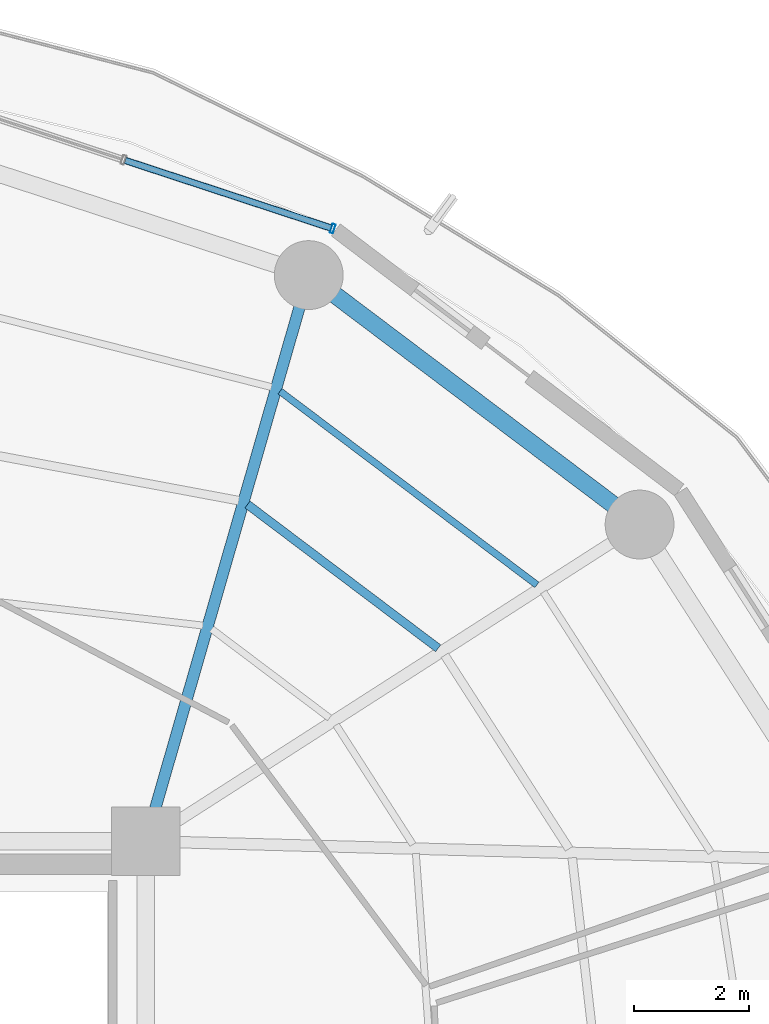
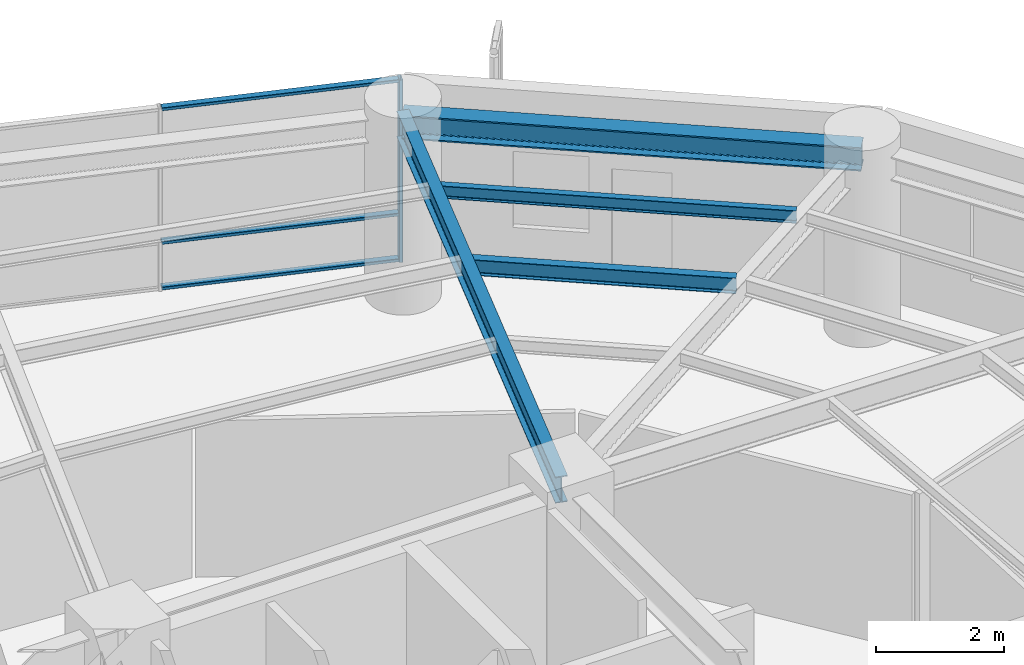
# One storey, part 19 of 28: 4 beams, 4 members, 1 element without a shape of its own.
"""IFC4 building model written with IfcOpenShell, lengths in metres."""

import ifcopenshell
import ifcopenshell.guid

model = None  # the IFC model being written
_history = None  # IfcOwnerHistory: only IFC2X3 demands one
_inside = {}  # id of a spatial element -> (the spatial element, [elements in it])
_under = {}  # id of a project, library or spatial element -> (it, [spatial elements below it])
_declared = {}  # id of a project -> (the project, [libraries it declares])
_typed = {}  # id of a type object -> (the type object, [elements of that type])
_made_of = {}  # id of a material, layer set ... -> (it, [elements and type objects made of it])


def new_model(schema):
    """Start an empty IFC model of exactly this schema.

    Asked for "IFC4X3", IfcOpenShell would pick the latest addendum, in which some entities
    have other attributes; the version numbers below select the first issue.
    IFC2X3 requires an IfcOwnerHistory on every rooted entity: one is made here for all.
    """
    global model, _history
    if schema == "IFC4X3":
        model = ifcopenshell.file(schema_version=(4, 3, 0, 0))
    else:
        model = ifcopenshell.file(schema=schema)
    _inside.clear()
    _under.clear()
    _declared.clear()
    _typed.clear()
    _made_of.clear()
    _history = None
    if model.schema == "IFC2X3":
        org = make("IfcOrganization", Name="unknown")
        user = make(
            "IfcPersonAndOrganization",
            ThePerson=make("IfcPerson", FamilyName="unknown"),
            TheOrganization=org,
        )
        app = make(
            "IfcApplication",
            ApplicationDeveloper=org,
            Version="unknown",
            ApplicationFullName="unknown",
            ApplicationIdentifier="unknown",
        )
        _history = make(
            "IfcOwnerHistory",
            OwningUser=user,
            OwningApplication=app,
            ChangeAction="ADDED",
            CreationDate=0,
        )
    return model


def make(cls, **values):
    """One entity of the class cls with the attributes given. An attribute that is None is left unset."""
    return model.create_entity(
        cls, **{name: value for name, value in values.items() if value is not None}
    )


def rooted(cls, **values):
    """An entity with a GlobalId (a new one), such as an element, a storey or a relation."""
    return make(cls, GlobalId=ifcopenshell.guid.new(), OwnerHistory=_history, **values)


def si_unit(unit_type, name, prefix=None):
    """IfcSIUnit, for example si_unit("LENGTHUNIT", "METRE", prefix="MILLI")."""
    return make("IfcSIUnit", UnitType=unit_type, Prefix=prefix, Name=name)


def assignment(units):
    """IfcUnitAssignment: the units of a project."""
    return None if units is None else make("IfcUnitAssignment", Units=units)


def point(xyz):
    """IfcCartesianPoint."""
    return None if xyz is None else make("IfcCartesianPoint", Coordinates=xyz)


def direction(xyz):
    """IfcDirection."""
    return None if xyz is None else make("IfcDirection", DirectionRatios=xyz)


def frame(location, z_axis=None, x_axis=None):
    """IfcAxis2Placement3D, a coordinate frame: its origin and axes. An axis left out is left unset."""
    return make(
        "IfcAxis2Placement3D",
        Location=point(location),
        Axis=direction(z_axis),
        RefDirection=direction(x_axis),
    )


def frame_2d(location, x_axis=None):
    """IfcAxis2Placement2D, a coordinate frame in the plane: its origin and x axis."""
    return make(
        "IfcAxis2Placement2D", Location=point(location), RefDirection=direction(x_axis)
    )


def origin():
    """The frame at (0, 0, 0) with its axes left unset."""
    return frame((0.0, 0.0, 0.0))


def origin_2d():
    """The frame at (0, 0) in the plane with its x axis left unset."""
    return frame_2d((0.0, 0.0))


def place(relative_to, where):
    """IfcLocalPlacement: puts the frame where relative to a parent placement (None: the world)."""
    return make(
        "IfcLocalPlacement", PlacementRelTo=relative_to, RelativePlacement=where
    )


def context(
    kind, dimensions, precision=None, world=None, true_north=None, identifier=None
):
    """IfcGeometricRepresentationContext, for example the 3D "Model" context."""
    return make(
        "IfcGeometricRepresentationContext",
        ContextIdentifier=identifier,
        ContextType=kind,
        CoordinateSpaceDimension=dimensions,
        Precision=precision,
        WorldCoordinateSystem=world,
        TrueNorth=true_north,
    )


def subcontext(parent, identifier, kind, view, scale=None):
    """IfcGeometricRepresentationSubContext, for example "Body" below "Model"."""
    return make(
        "IfcGeometricRepresentationSubContext",
        ContextIdentifier=identifier,
        ContextType=kind,
        ParentContext=parent,
        TargetScale=scale,
        TargetView=view,
    )


def project(units=None, contexts=None):
    """IfcProject with its units and contexts."""
    return rooted(
        "IfcProject",
        Name="project",
        RepresentationContexts=contexts,
        UnitsInContext=assignment(units),
    )


def spatial(cls, under=None, at=None, **own):
    """A site, building, storey or space (cls), placed at a placement, below another one or the project."""
    s = rooted(cls, ObjectPlacement=at, **own)
    if under is not None:
        _under.setdefault(under.id(), (under, []))[1].append(s)
    return s


def profile(cls, at=None, kind="AREA", **sizes):
    """A parametric profile (cls). Its sizes go by their IFC names, for example OverallWidth=200.0."""
    return make(cls, ProfileType=kind, Position=at, **sizes)


def hollow_rectangle(**sizes):
    """IfcRectangleHollowProfileDef."""
    return profile("IfcRectangleHollowProfileDef", **sizes)


def i_section(**sizes):
    """IfcIShapeProfileDef."""
    return profile("IfcIShapeProfileDef", **sizes)


def extrude(swept, where, along, depth):
    """IfcExtrudedAreaSolid: the profile swept, set in the frame where, extruded along a direction by depth."""
    return make(
        "IfcExtrudedAreaSolid",
        SweptArea=swept,
        Position=where,
        ExtrudedDirection=direction(along),
        Depth=depth,
    )


def shape(context_of_items, identifier, shape_type, items):
    """IfcShapeRepresentation: the items that make up one representation, for example the "Body"."""
    return make(
        "IfcShapeRepresentation",
        ContextOfItems=context_of_items,
        RepresentationIdentifier=identifier,
        RepresentationType=shape_type,
        Items=items,
    )


def material(Name=None, Category=None):
    """IfcMaterial."""
    return make("IfcMaterial", Name=Name, Category=Category)


def layer(
    of_material, thickness, ventilated=None, Name=None, Category=None, Priority=None
):
    """IfcMaterialLayer: one layer of a wall or slab, of a material (None: an air gap)."""
    return make(
        "IfcMaterialLayer",
        Material=of_material,
        LayerThickness=thickness,
        IsVentilated=ventilated,
        Name=Name,
        Category=Category,
        Priority=Priority,
    )


def layer_set(layers, Name=None):
    """IfcMaterialLayerSet."""
    return make("IfcMaterialLayerSet", MaterialLayers=layers, LayerSetName=Name)


def material_profile(
    of_material, cross_section, Name=None, Category=None, Priority=None
):
    """IfcMaterialProfile: a cross section and its material."""
    return make(
        "IfcMaterialProfile",
        Name=Name,
        Material=of_material,
        Profile=cross_section,
        Priority=Priority,
        Category=Category,
    )


def profile_set(profiles, Name=None, composite=None):
    """IfcMaterialProfileSet."""
    return make(
        "IfcMaterialProfileSet",
        Name=Name,
        MaterialProfiles=profiles,
        CompositeProfile=composite,
    )


def made_of(thing, what):
    """Note that an element or type object is made of a material, layer set ...; save() writes the relation."""
    if what is not None:
        _made_of.setdefault(what.id(), (what, []))[1].append(thing)
    return thing


def type_object(cls, material=None, **own):
    """A type object (cls), such as IfcWallType, which elements share."""
    return made_of(rooted(cls, **own), material)


def element(
    cls,
    number,
    at=None,
    inside=None,
    cuts=None,
    type_object=None,
    material=None,
    context=None,
    identifier="Body",
    shape_type=None,
    held_by="IfcProductDefinitionShape",
    body=None,
    shapes=None,
    **own,
):
    """One element of the class cls, such as IfcWall. Its Tag is "e" and its number.

    at: its placement. inside: the storey or other place that contains it. cuts: it is an
    opening in that element (IfcRelVoidsElement). A single representation is given by context,
    identifier, shape_type and body (its items); several are given by shapes. held_by: the class
    of the entity that holds the representations. save() writes the other relations.
    """
    e = rooted(cls, Tag="e%d" % number, ObjectPlacement=at, **own)
    if body is not None:
        shapes = [shape(context, identifier, shape_type, body)]
    if shapes is not None:
        e.Representation = make(held_by, Representations=shapes)
    if inside is not None:
        _inside.setdefault(inside.id(), (inside, []))[1].append(e)
    if cuts is not None:
        rooted(
            "IfcRelVoidsElement", RelatingBuildingElement=cuts, RelatedOpeningElement=e
        )
    if type_object is not None:
        _typed.setdefault(type_object.id(), (type_object, []))[1].append(e)
    return made_of(e, material)


def aggregate(whole, parts):
    """IfcRelAggregates: a whole, such as a stair, and the parts it consists of."""
    return rooted("IfcRelAggregates", RelatingObject=whole, RelatedObjects=parts)


def save(model, path):
    """Write the relations noted so far, then the file.

    IfcRelAggregates (storeys below a building ...), IfcRelContainedInSpatialStructure (elements
    in a storey), IfcRelDefinesByType, IfcRelAssociatesMaterial and IfcRelDeclares: one each for
    every whole, place, type object, material and project.
    """
    for whole, parts in _under.values():
        aggregate(whole, parts)
    for where, things in _inside.values():
        rooted(
            "IfcRelContainedInSpatialStructure",
            RelatedElements=things,
            RelatingStructure=where,
        )
    for kind, things in _typed.values():
        rooted("IfcRelDefinesByType", RelatedObjects=things, RelatingType=kind)
    for what, things in _made_of.values():
        rooted("IfcRelAssociatesMaterial", RelatedObjects=things, RelatingMaterial=what)
    for by, libraries in _declared.values():
        rooted("IfcRelDeclares", RelatingContext=by, RelatedDefinitions=libraries)
    model.write(path)


model = new_model("IFC4")

# Units and contexts
model_context = context("Model", 3, precision=1e-05, world=origin(), true_north=direction((0.0, 1.0)))
body_context = subcontext(model_context, "Body", "Model", "MODEL_VIEW")
ifc_project = project(units=[si_unit("LENGTHUNIT", "METRE"), si_unit("AREAUNIT", "SQUARE_METRE"), si_unit("VOLUMEUNIT", "CUBIC_METRE"), si_unit("PLANEANGLEUNIT", "RADIAN"), si_unit("MASSUNIT", "GRAM", prefix="KILO")], contexts=[model_context])

# Site, building, storey
site_placement = place(None, origin())
site = spatial("IfcSite", under=ifc_project, at=site_placement, CompositionType="ELEMENT")
building_placement = place(site_placement, origin())
building = spatial("IfcBuilding", under=site, at=building_placement, Name="Kelanora Arch Commons", CompositionType="ELEMENT")
storey_placement = place(building_placement, frame((0.0, 0.0, 176.85009765625)))
storey = spatial("IfcBuildingStorey", under=building, at=storey_placement, Name="L45", CompositionType="ELEMENT", Elevation=176.85009765625)

# Beams
ifc_material_1 = material(Name="Steel S355", Category="steel")
ifc_material_profile_1 = material_profile(ifc_material_1, i_section(OverallWidth=0.14990234375, OverallDepth=0.300048828125, WebThickness=0.007080078125, FlangeThickness=0.0107421875, FilletRadius=0.014892578125, at=origin_2d()), Name="IPE300")
ifc_profile_set_1 = profile_set([ifc_material_profile_1], Name="Steel S355")
beam_type_1 = type_object("IfcBeamType", Name="BM-JST-01", PredefinedType="JOIST", material=ifc_profile_set_1)
beam_1_placement = place(storey_placement, frame((87.0966796875, 68.364013671875, 3.33984375), z_axis=(-0.798463547891, 0.602043156833, 0.0), x_axis=(-0.602043156833, -0.798463547891, 0.0)))
element("IfcBeam", 1, at=beam_1_placement, inside=storey, type_object=beam_type_1, Name="Secondary Chord Joist BJB-04 L45", PredefinedType="JOIST", context=body_context, shape_type="SweptSolid", body=[
    extrude(i_section(OverallWidth=0.14990234375, OverallDepth=0.300048828125, WebThickness=0.007080078125, FlangeThickness=0.0107421875, FilletRadius=0.014892578125, at=origin_2d()), origin(), (0.0, 0.0, 1.0), 4.163818359375),
])
ifc_material_profile_2 = material_profile(ifc_material_1, i_section(OverallWidth=0.1201171875, OverallDepth=0.239990234375, WebThickness=0.006103515625, FlangeThickness=0.009765625, FilletRadius=0.014892578125, at=origin_2d()), Name="IPE240")
ifc_profile_set_2 = profile_set([ifc_material_profile_2], Name="Steel S355")
beam_type_2 = type_object("IfcBeamType", Name="BM-JST-02", PredefinedType="JOIST", material=ifc_profile_set_2)
beam_2_placement = place(storey_placement, frame((88.818359375, 69.468505859375, 3.369873046875), z_axis=(-0.798493128577, 0.602003923256, 0.0), x_axis=(-0.602003923256, -0.798493128577, 0.0)))
element("IfcBeam", 2, at=beam_2_placement, inside=storey, type_object=beam_type_2, Name="Secondary Chord Joist BJC-04 L45", PredefinedType="JOIST", context=body_context, shape_type="SweptSolid", body=[
    extrude(i_section(OverallWidth=0.1201171875, OverallDepth=0.239990234375, WebThickness=0.006103515625, FlangeThickness=0.009765625, FilletRadius=0.014892578125, at=origin_2d()), origin(), (0.0, 0.0, 1.0), 5.608642578125),
])
ifc_material_profile_3 = material_profile(ifc_material_1, i_section(OverallWidth=0.199951171875, OverallDepth=0.5, WebThickness=0.01025390625, FlangeThickness=0.01611328125, FilletRadius=0.02099609375, at=origin_2d()), Name="IPE500")
ifc_profile_set_3 = profile_set([ifc_material_profile_3], Name="Steel S355")
beam_type_3 = type_object("IfcBeamType", Name="BM-RAD-Z3", PredefinedType="BEAM", material=ifc_profile_set_3)
beam_3_placement = place(storey_placement, frame((82.0, 65.0, 3.239990234375), z_axis=(0.276525880065, 0.961006471182, 0.0), x_axis=(-0.961006471182, 0.276525880065, 0.0)))
element("IfcBeam", 3, at=beam_3_placement, inside=storey, type_object=beam_type_3, Name="Radial Floor Girder BR-06 L45", PredefinedType="BEAM", context=body_context, shape_type="SweptSolid", body=[
    extrude(i_section(OverallWidth=0.199951171875, OverallDepth=0.5, WebThickness=0.01025390625, FlangeThickness=0.01611328125, FilletRadius=0.02099609375, at=origin_2d()), origin(), (0.0, 0.0, 1.0), 10.2705078125),
])
ifc_material_profile_4 = material_profile(ifc_material_1, i_section(OverallWidth=0.300048828125, OverallDepth=0.449951171875, WebThickness=0.013916015625, FlangeThickness=0.02587890625, FilletRadius=0.027099609375, at=origin_2d()), Name="HEB450")
ifc_profile_set_4 = profile_set([ifc_material_profile_4], Name="Steel S355")
beam_type_4 = type_object("IfcBeamType", Name="BM-SPN-Z3", PredefinedType="SPANDREL", material=ifc_profile_set_4)
beam_4_placement = place(storey_placement, frame((90.60791015625, 70.521484375, 3.264892578125), z_axis=(-0.798484645564, 0.60201517489, 0.0), x_axis=(-0.60201517489, -0.798484645564, 0.0)))
element("IfcBeam", 4, at=beam_4_placement, inside=storey, type_object=beam_type_4, Name="Perimeter Spandrel Beam BS-04 L45", PredefinedType="SPANDREL", context=body_context, shape_type="SweptSolid", body=[
    extrude(i_section(OverallWidth=0.300048828125, OverallDepth=0.449951171875, WebThickness=0.013916015625, FlangeThickness=0.02587890625, FilletRadius=0.027099609375, at=origin_2d()), origin(), (0.0, 0.0, 1.0), 7.223388671875),
])

# Curtain wall, members
ifc_material_2 = material(Name="Terracotta ceramic-fritted low-E glass and aluminium", Category="masonry")
ifc_layer = layer(ifc_material_2, 0.175048828125)
ifc_layer_set = layer_set([ifc_layer], Name="Terracotta ceramic-fritted low-E glass and aluminium")
curtain_wall_type = type_object("IfcCurtainWallType", Name="CW-SYS-02", PredefinedType="NOTDEFINED", material=ifc_layer_set)
curtain_wall_placement = place(storey_placement, origin())
curtain_wall = element("IfcCurtainWall", 5, at=curtain_wall_placement, inside=storey, type_object=curtain_wall_type, Name="Unitised Curtain Wall L45-B03", PredefinedType="NOTDEFINED")
ifc_material_3 = material(Name="Powder-coated aluminium terracotta", Category="masonry")
ifc_material_profile_5 = material_profile(ifc_material_3, hollow_rectangle(XDim=0.159912109375, YDim=0.06005859375, WallThickness=0.0048828125, InnerFilletRadius=0.0048828125, OuterFilletRadius=0.010009765625, at=origin_2d()), Name="CWM160x60")
ifc_profile_set_5 = profile_set([ifc_material_profile_5], Name="Powder-coated aluminium terracotta")
member_type_1 = type_object("IfcMemberType", Name="CWM-STD", PredefinedType="MULLION", material=ifc_profile_set_5)
member_1_placement = place(storey_placement, frame((85.257080078125, 75.680908203125, 0.0), z_axis=(0.0, 0.0, 1.0), x_axis=(-0.312128279571, -0.95003996605, 0.0)))
member_1 = element("IfcMember", 6, at=member_1_placement, type_object=member_type_1, Name="CW-02 mullion 1", PredefinedType="MULLION", context=body_context, shape_type="SweptSolid", body=[
    extrude(hollow_rectangle(XDim=0.159912109375, YDim=0.06005859375, WallThickness=0.0048828125, InnerFilletRadius=0.0048828125, OuterFilletRadius=0.010009765625, at=origin_2d()), origin(), (0.0, 0.0, 1.0), 3.474853515625),
])
ifc_material_profile_6 = material_profile(ifc_material_3, hollow_rectangle(XDim=0.1201171875, YDim=0.06005859375, WallThickness=0.0048828125, InnerFilletRadius=0.0048828125, OuterFilletRadius=0.010009765625, at=origin_2d()), Name="CWT120x60")
ifc_profile_set_6 = profile_set([ifc_material_profile_6], Name="Powder-coated aluminium terracotta")
member_type_2 = type_object("IfcMemberType", Name="CWT-STD", PredefinedType="USERDEFINED", material=ifc_profile_set_6)
member_2_placement = place(storey_placement, frame((85.228759765625, 75.6904296875, 0.02978515625), z_axis=(-0.950051191155, 0.312094111104, 0.0), x_axis=(-0.312094111104, -0.950051191155, 0.0)))
member_2 = element("IfcMember", 7, at=member_2_placement, type_object=member_type_2, Name="CW-02 transom 1.1", ObjectType="TRANSOM", PredefinedType="USERDEFINED", context=body_context, shape_type="SweptSolid", body=[
    extrude(hollow_rectangle(XDim=0.1201171875, YDim=0.06005859375, WallThickness=0.0048828125, InnerFilletRadius=0.0048828125, OuterFilletRadius=0.010009765625, at=origin_2d()), origin(), (0.0, 0.0, 1.0), 3.77685546875),
])
member_3_placement = place(storey_placement, frame((85.228759765625, 75.6904296875, 0.89990234375), z_axis=(-0.950051191155, 0.312094111104, 0.0), x_axis=(-0.312094111104, -0.950051191155, 0.0)))
member_3 = element("IfcMember", 8, at=member_3_placement, type_object=member_type_2, Name="CW-02 transom 1.2", ObjectType="TRANSOM", PredefinedType="USERDEFINED", context=body_context, shape_type="SweptSolid", body=[
    extrude(hollow_rectangle(XDim=0.1201171875, YDim=0.06005859375, WallThickness=0.0048828125, InnerFilletRadius=0.0048828125, OuterFilletRadius=0.010009765625, at=origin_2d()), origin(), (0.0, 0.0, 1.0), 3.77685546875),
])
member_4_placement = place(storey_placement, frame((85.228759765625, 75.6904296875, 3.44482421875), z_axis=(-0.950051191155, 0.312094111104, 0.0), x_axis=(-0.312094111104, -0.950051191155, 0.0)))
member_4 = element("IfcMember", 9, at=member_4_placement, type_object=member_type_2, Name="CW-02 transom 1.3", ObjectType="TRANSOM", PredefinedType="USERDEFINED", context=body_context, shape_type="SweptSolid", body=[
    extrude(hollow_rectangle(XDim=0.1201171875, YDim=0.06005859375, WallThickness=0.0048828125, InnerFilletRadius=0.0048828125, OuterFilletRadius=0.010009765625, at=origin_2d()), origin(), (0.0, 0.0, 1.0), 3.77685546875),
])
aggregate(curtain_wall, [member_1, member_2, member_3, member_4])

save(model, "model.ifc")
